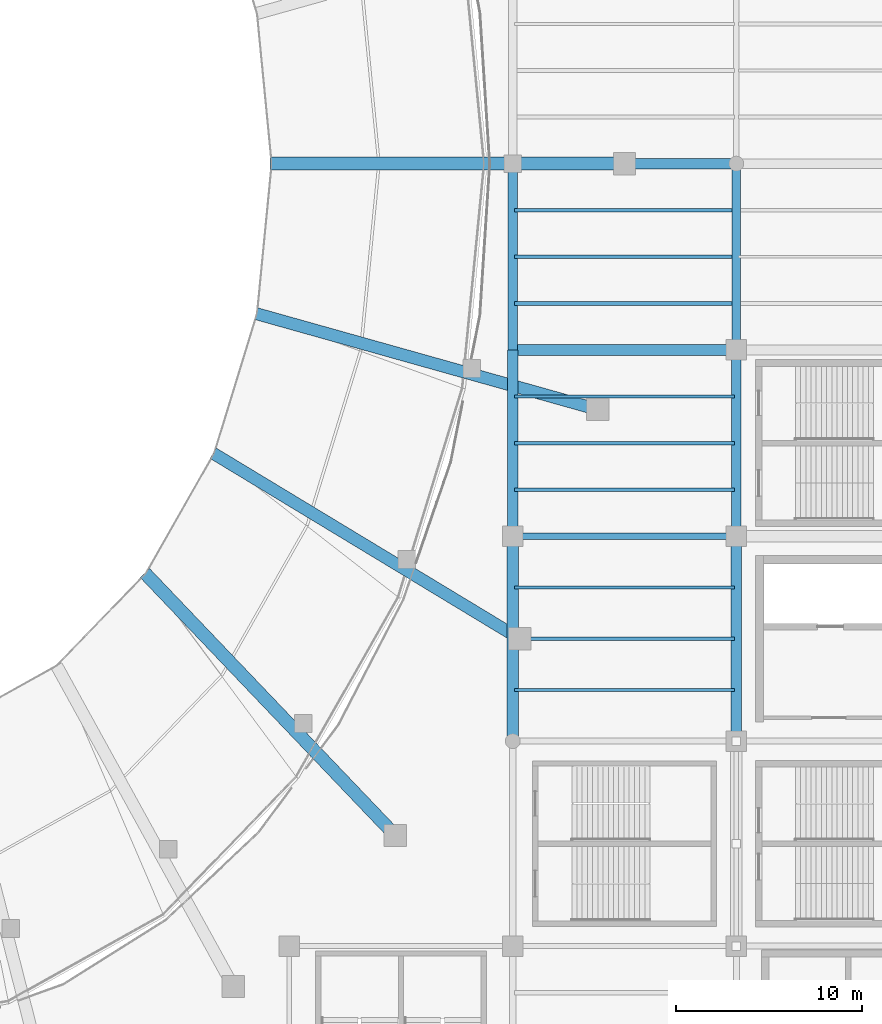
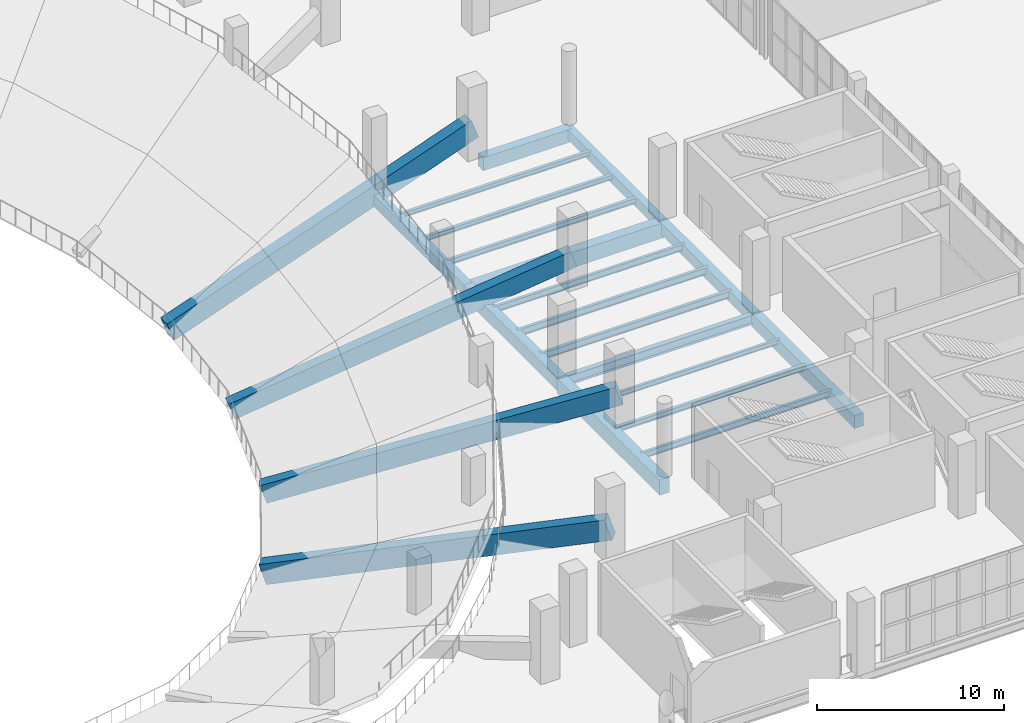
# One storey, part 65 of 136: 22 beams.
"""IFC4 building model written with IfcOpenShell, lengths in metres."""

from ifc_helpers import new_model, si_unit, direction, frame, origin, origin_2d, place, context, subcontext, project, spatial, rectangle, i_section, extrude, material, material_profile, profile_set, type_object, element, save


model = new_model("IFC4")

# Units and contexts
model_context = context("Model", 3, precision=1e-05, world=origin(), true_north=direction((0.0, 1.0)))
body_context = subcontext(model_context, "Body", "Model", "MODEL_VIEW")
ifc_project = project(units=[si_unit("LENGTHUNIT", "METRE"), si_unit("AREAUNIT", "SQUARE_METRE"), si_unit("VOLUMEUNIT", "CUBIC_METRE"), si_unit("PLANEANGLEUNIT", "RADIAN"), si_unit("MASSUNIT", "GRAM", prefix="KILO")], contexts=[model_context])

# Site, building, storey
site_placement = place(None, origin())
site = spatial("IfcSite", under=ifc_project, at=site_placement, CompositionType="ELEMENT")
building_placement = place(site_placement, origin())
building = spatial("IfcBuilding", under=site, at=building_placement, Name="Brinegate Civic Arena", CompositionType="ELEMENT")
storey_placement = place(building_placement, frame((0.0, 0.0, 5.39990234375)))
storey = spatial("IfcBuildingStorey", under=building, at=storey_placement, Name="L01", CompositionType="ELEMENT", Elevation=5.39990234375)

# Beams
ifc_material_1 = material(Name="Steel S355", Category="steel")
ifc_material_profile_1 = material_profile(ifc_material_1, i_section(OverallWidth=0.324951171875, OverallDepth=0.615966796875, WebThickness=0.013916015625, FlangeThickness=0.02197265625, FilletRadius=0.01611328125, at=origin_2d()), Name="W610X174")
ifc_profile_set_1 = profile_set([ifc_material_profile_1], Name="Steel S355")
beam_type_1 = type_object("IfcBeamType", Name="GIRDER-W610X174", PredefinedType="BEAM", material=ifc_profile_set_1)
beam_1_placement = place(storey_placement, frame((144.0, 42.0, -0.64794921875), z_axis=(1.0, 0.0, 0.0), x_axis=(0.0, 1.0, 0.0)))
element("IfcBeam", 1, at=beam_1_placement, inside=storey, type_object=beam_type_1, Name="Floor Girder BM-L01-GX-12-04", PredefinedType="BEAM", context=body_context, shape_type="SweptSolid", body=[
    extrude(i_section(OverallWidth=0.324951171875, OverallDepth=0.615966796875, WebThickness=0.013916015625, FlangeThickness=0.02197265625, FilletRadius=0.01611328125, at=origin_2d()), origin(), (0.0, 0.0, 1.0), 12.0),
])
ifc_material_profile_2 = material_profile(ifc_material_1, i_section(OverallWidth=0.1669921875, OverallDepth=0.31689453125, WebThickness=0.008056640625, FlangeThickness=0.012939453125, FilletRadius=0.012939453125, at=origin_2d()), Name="W310X52")
ifc_profile_set_2 = profile_set([ifc_material_profile_2], Name="Steel S355")
beam_type_2 = type_object("IfcBeamType", Name="JOIST-W310X52", PredefinedType="JOIST", material=ifc_profile_set_2)
beam_2_placement = place(storey_placement, frame((144.10595703125, 39.25, -0.497802734375), z_axis=(1.0, 0.0, 0.0), x_axis=(0.0, 1.0, 0.0)))
element("IfcBeam", 2, at=beam_2_placement, inside=storey, type_object=beam_type_2, Name="Secondary Joist BM-L01-JX-12-03-3", PredefinedType="JOIST", context=body_context, shape_type="SweptSolid", body=[
    extrude(i_section(OverallWidth=0.1669921875, OverallDepth=0.31689453125, WebThickness=0.008056640625, FlangeThickness=0.012939453125, FilletRadius=0.012939453125, at=origin_2d()), origin(), (0.0, 0.0, 1.0), 11.7880859375),
])
ifc_material_profile_3 = material_profile(ifc_material_1, i_section(OverallWidth=0.202880859375, OverallDepth=0.302978515625, WebThickness=0.008056640625, FlangeThickness=0.012939453125, FilletRadius=0.012939453125, at=origin_2d()), Name="W310X60")
ifc_profile_set_3 = profile_set([ifc_material_profile_3], Name="Steel S355")
beam_type_3 = type_object("IfcBeamType", Name="JOIST-W310X60", PredefinedType="JOIST", material=ifc_profile_set_3)
beam_3_placement = place(storey_placement, frame((144.10595703125, 59.5, -0.490966796875), z_axis=(1.0, 0.0, 0.0), x_axis=(0.0, 1.0, 0.0)))
element("IfcBeam", 3, at=beam_3_placement, inside=storey, type_object=beam_type_3, Name="Secondary Joist BM-L01-JX-12-05-3", PredefinedType="JOIST", context=body_context, shape_type="SweptSolid", body=[
    extrude(i_section(OverallWidth=0.202880859375, OverallDepth=0.302978515625, WebThickness=0.008056640625, FlangeThickness=0.012939453125, FilletRadius=0.012939453125, at=origin_2d()), origin(), (0.0, 0.0, 1.0), 11.7880859375),
])
ifc_material_profile_4 = material_profile(ifc_material_1, i_section(OverallWidth=0.205078125, OverallDepth=0.31005859375, WebThickness=0.009033203125, FlangeThickness=0.01611328125, FilletRadius=0.012939453125, at=origin_2d()), Name="W310X74")
ifc_profile_set_4 = profile_set([ifc_material_profile_4], Name="Steel S355")
beam_type_4 = type_object("IfcBeamType", Name="JOIST-W310X74", PredefinedType="JOIST", material=ifc_profile_set_4)
beam_4_placement = place(storey_placement, frame((144.10595703125, 57.0, -0.494873046875), z_axis=(1.0, 0.0, 0.0), x_axis=(0.0, 1.0, 0.0)))
element("IfcBeam", 4, at=beam_4_placement, inside=storey, type_object=beam_type_4, Name="Secondary Joist BM-L01-JX-12-05-2", PredefinedType="JOIST", context=body_context, shape_type="SweptSolid", body=[
    extrude(i_section(OverallWidth=0.205078125, OverallDepth=0.31005859375, WebThickness=0.009033203125, FlangeThickness=0.01611328125, FilletRadius=0.012939453125, at=origin_2d()), origin(), (0.0, 0.0, 1.0), 11.7880859375),
])
ifc_material_profile_5 = material_profile(ifc_material_1, i_section(OverallWidth=0.202880859375, OverallDepth=0.346923828125, WebThickness=0.008056640625, FlangeThickness=0.013916015625, FilletRadius=0.013916015625, at=origin_2d()), Name="W360X64")
ifc_profile_set_5 = profile_set([ifc_material_profile_5], Name="Steel S355")
beam_type_5 = type_object("IfcBeamType", Name="JOIST-W360X64", PredefinedType="JOIST", material=ifc_profile_set_5)
beam_5_placement = place(storey_placement, frame((144.10595703125, 36.5, -0.512939453125), z_axis=(1.0, 0.0, 0.0), x_axis=(0.0, 1.0, 0.0)))
element("IfcBeam", 5, at=beam_5_placement, inside=storey, type_object=beam_type_5, Name="Secondary Joist BM-L01-JX-12-03-2", PredefinedType="JOIST", context=body_context, shape_type="SweptSolid", body=[
    extrude(i_section(OverallWidth=0.202880859375, OverallDepth=0.346923828125, WebThickness=0.008056640625, FlangeThickness=0.013916015625, FilletRadius=0.013916015625, at=origin_2d()), origin(), (0.0, 0.0, 1.0), 11.7880859375),
])
ifc_material_profile_6 = material_profile(ifc_material_1, i_section(OverallWidth=0.205078125, OverallDepth=0.35400390625, WebThickness=0.009033203125, FlangeThickness=0.01708984375, FilletRadius=0.013916015625, at=origin_2d()), Name="W360X79")
ifc_profile_set_6 = profile_set([ifc_material_profile_6], Name="Steel S355")
beam_type_6 = type_object("IfcBeamType", Name="JOIST-W360X79", PredefinedType="JOIST", material=ifc_profile_set_6)
beam_6_placement = place(storey_placement, frame((144.10595703125, 54.5, -0.516845703125), z_axis=(1.0, 0.0, 0.0), x_axis=(0.0, 1.0, 0.0)))
element("IfcBeam", 6, at=beam_6_placement, inside=storey, type_object=beam_type_6, Name="Secondary Joist BM-L01-JX-12-05-1", PredefinedType="JOIST", context=body_context, shape_type="SweptSolid", body=[
    extrude(i_section(OverallWidth=0.205078125, OverallDepth=0.35400390625, WebThickness=0.009033203125, FlangeThickness=0.01708984375, FilletRadius=0.013916015625, at=origin_2d()), origin(), (0.0, 0.0, 1.0), 11.7880859375),
])
ifc_material_profile_7 = material_profile(ifc_material_1, i_section(OverallWidth=0.179931640625, OverallDepth=0.4130859375, WebThickness=0.010009765625, FlangeThickness=0.01611328125, FilletRadius=0.013916015625, at=origin_2d()), Name="W410X75")
ifc_profile_set_7 = profile_set([ifc_material_profile_7], Name="Steel S355")
beam_type_7 = type_object("IfcBeamType", Name="JOIST-W410X75", PredefinedType="JOIST", material=ifc_profile_set_7)
beam_7_placement = place(storey_placement, frame((144.10595703125, 33.75, -0.5458984375), z_axis=(1.0, 0.0, 0.0), x_axis=(0.0, 1.0, 0.0)))
element("IfcBeam", 7, at=beam_7_placement, inside=storey, type_object=beam_type_7, Name="Secondary Joist BM-L01-JX-12-03-1", PredefinedType="JOIST", context=body_context, shape_type="SweptSolid", body=[
    extrude(i_section(OverallWidth=0.179931640625, OverallDepth=0.4130859375, WebThickness=0.010009765625, FlangeThickness=0.01611328125, FilletRadius=0.013916015625, at=origin_2d()), origin(), (0.0, 0.0, 1.0), 11.7880859375),
])
ifc_material_profile_8 = material_profile(ifc_material_1, i_section(OverallWidth=0.180908203125, OverallDepth=0.4169921875, WebThickness=0.010986328125, FlangeThickness=0.01806640625, FilletRadius=0.013916015625, at=origin_2d()), Name="W410X85")
ifc_profile_set_8 = profile_set([ifc_material_profile_8], Name="Steel S355")
beam_type_8 = type_object("IfcBeamType", Name="JOIST-W410X85", PredefinedType="JOIST", material=ifc_profile_set_8)
beam_8_placement = place(storey_placement, frame((144.10595703125, 49.5, -0.5478515625), z_axis=(1.0, 0.0, 0.0), x_axis=(0.0, 1.0, 0.0)))
element("IfcBeam", 8, at=beam_8_placement, inside=storey, type_object=beam_type_8, Name="Secondary Joist BM-L01-JX-12-04-3", PredefinedType="JOIST", context=body_context, shape_type="SweptSolid", body=[
    extrude(i_section(OverallWidth=0.180908203125, OverallDepth=0.4169921875, WebThickness=0.010986328125, FlangeThickness=0.01806640625, FilletRadius=0.013916015625, at=origin_2d()), origin(), (0.0, 0.0, 1.0), 11.7880859375),
])
ifc_material_profile_9 = material_profile(ifc_material_1, i_section(OverallWidth=0.195068359375, OverallDepth=0.472900390625, WebThickness=0.011962890625, FlangeThickness=0.02197265625, FilletRadius=0.014892578125, at=origin_2d()), Name="W460X113")
ifc_profile_set_9 = profile_set([ifc_material_profile_9], Name="Steel S355")
beam_type_9 = type_object("IfcBeamType", Name="JOIST-W460X113", PredefinedType="JOIST", material=ifc_profile_set_9)
beam_9_placement = place(storey_placement, frame((144.10595703125, 44.5, -0.575927734375), z_axis=(1.0, 0.0, 0.0), x_axis=(0.0, 1.0, 0.0)))
element("IfcBeam", 9, at=beam_9_placement, inside=storey, type_object=beam_type_9, Name="Secondary Joist BM-L01-JX-12-04-1", PredefinedType="JOIST", context=body_context, shape_type="SweptSolid", body=[
    extrude(i_section(OverallWidth=0.195068359375, OverallDepth=0.472900390625, WebThickness=0.011962890625, FlangeThickness=0.02197265625, FilletRadius=0.014892578125, at=origin_2d()), origin(), (0.0, 0.0, 1.0), 11.7880859375),
])
ifc_material_profile_10 = material_profile(ifc_material_1, i_section(OverallWidth=0.19091796875, OverallDepth=0.4599609375, WebThickness=0.010009765625, FlangeThickness=0.01611328125, FilletRadius=0.014892578125, at=origin_2d()), Name="W460X82")
ifc_profile_set_10 = profile_set([ifc_material_profile_10], Name="Steel S355")
beam_type_10 = type_object("IfcBeamType", Name="JOIST-W460X82", PredefinedType="JOIST", material=ifc_profile_set_10)
beam_10_placement = place(storey_placement, frame((144.10595703125, 47.0, -0.56982421875), z_axis=(1.0, 0.0, 0.0), x_axis=(0.0, 1.0, 0.0)))
element("IfcBeam", 10, at=beam_10_placement, inside=storey, type_object=beam_type_10, Name="Secondary Joist BM-L01-JX-12-04-2", PredefinedType="JOIST", context=body_context, shape_type="SweptSolid", body=[
    extrude(i_section(OverallWidth=0.19091796875, OverallDepth=0.4599609375, WebThickness=0.010009765625, FlangeThickness=0.01611328125, FilletRadius=0.014892578125, at=origin_2d()), origin(), (0.0, 0.0, 1.0), 11.7880859375),
])
ifc_material_2 = material(Name="Concrete C50/60", Category="concrete")
ifc_material_profile_11 = material_profile(ifc_material_2, rectangle(XDim=0.64990234375, YDim=1.10009765625, at=origin_2d()), Name="RKR650X1100")
ifc_profile_set_11 = profile_set([ifc_material_profile_11], Name="Concrete C50/60")
beam_type_11 = type_object("IfcBeamType", Name="RAKER-RKR650X1100", PredefinedType="USERDEFINED", material=ifc_profile_set_11)
beam_11_placement = place(storey_placement, frame((130.408935546875, 53.89892578125, -4.89990234375), z_axis=(0.907237931678, -0.254727686103, 0.334713521174), x_axis=(0.270319746837, 0.962770603244, 0.0)))
element("IfcBeam", 11, at=beam_11_placement, inside=storey, type_object=beam_type_11, Name="Lower Bowl Raker Girder RKR-LWR-24", ObjectType="RAKER GIRDER", PredefinedType="USERDEFINED", context=body_context, shape_type="SweptSolid", body=[
    extrude(rectangle(XDim=0.64990234375, YDim=1.10009765625, at=origin_2d()), origin(), (0.0, 0.0, 1.0), 20.01708984375),
])
ifc_material_profile_12 = material_profile(ifc_material_2, rectangle(XDim=0.64990234375, YDim=1.199951171875, at=origin_2d()), Name="RKR650X1200")
ifc_profile_set_12 = profile_set([ifc_material_profile_12], Name="Concrete C50/60")
beam_type_12 = type_object("IfcBeamType", Name="RAKER-RKR650X1200", PredefinedType="USERDEFINED", material=ifc_profile_set_12)
beam_12_placement = place(storey_placement, frame((128.092041015625, 46.35009765625, -4.89990234375), z_axis=(0.807034448443, -0.488260258474, 0.332110401857), x_axis=(0.517641309359, 0.85559772957, 0.0)))
element("IfcBeam", 12, at=beam_12_placement, inside=storey, type_object=beam_type_12, Name="Lower Bowl Raker Girder RKR-LWR-23", ObjectType="RAKER GIRDER", PredefinedType="USERDEFINED", context=body_context, shape_type="SweptSolid", body=[
    extrude(rectangle(XDim=0.64990234375, YDim=1.199951171875, at=origin_2d()), origin(), (0.0, 0.0, 1.0), 20.173828125),
])
ifc_material_profile_13 = material_profile(ifc_material_2, rectangle(XDim=0.699951171875, YDim=1.300048828125, at=origin_2d()), Name="RKR700X1300")
ifc_profile_set_13 = profile_set([ifc_material_profile_13], Name="Concrete C50/60")
beam_type_13 = type_object("IfcBeamType", Name="RAKER-RKR700X1300", PredefinedType="USERDEFINED", material=ifc_profile_set_13)
beam_13_placement = place(storey_placement, frame((131.199951171875, 62.0, -4.89990234375), z_axis=(0.941969465095, 0.0, 0.335698565426), x_axis=(0.0, 1.0, 0.0)))
element("IfcBeam", 13, at=beam_13_placement, inside=storey, type_object=beam_type_13, Name="Lower Bowl Raker Girder RKR-LWR-01", ObjectType="RAKER GIRDER", PredefinedType="USERDEFINED", context=body_context, shape_type="SweptSolid", body=[
    extrude(rectangle(XDim=0.699951171875, YDim=1.300048828125, at=origin_2d()), origin(), (0.0, 0.0, 1.0), 19.958251953125),
])
beam_14_placement = place(storey_placement, frame((124.405029296875, 39.867919921875, -4.89990234375), z_axis=(0.652027240531, -0.683270611648, 0.328636195304), x_axis=(0.723453696653, 0.690372905609, 0.0)))
element("IfcBeam", 14, at=beam_14_placement, inside=storey, type_object=beam_type_13, Name="Lower Bowl Raker Girder RKR-LWR-22", ObjectType="RAKER GIRDER", PredefinedType="USERDEFINED", context=body_context, shape_type="SweptSolid", body=[
    extrude(rectangle(XDim=0.699951171875, YDim=1.300048828125, at=origin_2d()), origin(), (0.0, 0.0, 1.0), 20.38720703125),
])
ifc_material_profile_14 = material_profile(ifc_material_2, rectangle(XDim=0.449951171875, YDim=0.64990234375, at=origin_2d()), Name="RCB450X650")
ifc_profile_set_14 = profile_set([ifc_material_profile_14], Name="Concrete C50/60")
beam_type_14 = type_object("IfcBeamType", Name="RCG-450X650", PredefinedType="BEAM", material=ifc_profile_set_14)
beam_15_placement = place(storey_placement, frame((156.0, 52.0, -0.664794921875), z_axis=(0.0, 1.0, 0.0), x_axis=(-1.0, 0.0, 0.0)))
element("IfcBeam", 15, at=beam_15_placement, inside=storey, type_object=beam_type_14, Name="Floor Girder BM-L01-GY-13-05", PredefinedType="BEAM", context=body_context, shape_type="SweptSolid", body=[
    extrude(rectangle(XDim=0.449951171875, YDim=0.64990234375, at=origin_2d()), origin(), (0.0, 0.0, 1.0), 10.0),
])
ifc_material_profile_15 = material_profile(ifc_material_2, rectangle(XDim=0.5, YDim=0.75, at=origin_2d()), Name="RCB500X750")
ifc_profile_set_15 = profile_set([ifc_material_profile_15], Name="Concrete C50/60")
beam_type_15 = type_object("IfcBeamType", Name="RCG-500X750", PredefinedType="BEAM", material=ifc_profile_set_15)
for number, where, z_axis, x_axis, name in (
    (16, (144.0, 52.0, -0.71484375), (0.0, 1.0, 0.0), (-1.0, 0.0, 0.0), "Floor Girder BM-L01-GY-12-05"),
    (17, (156.0, 42.0, -0.71484375), (0.0, 1.0, 0.0), (-1.0, 0.0, 0.0), "Floor Girder BM-L01-GY-13-04"),
):
    element("IfcBeam", number, at=place(storey_placement, frame(where, z_axis=z_axis, x_axis=x_axis)), inside=storey, type_object=beam_type_15, Name=name, PredefinedType="BEAM", context=body_context, shape_type="SweptSolid", body=[
        extrude(rectangle(XDim=0.5, YDim=0.75, at=origin_2d()), origin(), (0.0, 0.0, 1.0), 10.0),
    ])
ifc_material_profile_16 = material_profile(ifc_material_2, rectangle(XDim=0.550048828125, YDim=0.85009765625, at=origin_2d()), Name="RCB550X850")
ifc_profile_set_16 = profile_set([ifc_material_profile_16], Name="Concrete C50/60")
beam_type_16 = type_object("IfcBeamType", Name="RCG-550X850", PredefinedType="BEAM", material=ifc_profile_set_16)
beam_16_placement = place(storey_placement, frame((150.550048828125, 62.0, -0.764892578125), z_axis=(1.0, 0.0, 0.0), x_axis=(0.0, 1.0, 0.0)))
element("IfcBeam", 18, at=beam_16_placement, inside=storey, type_object=beam_type_16, Name="Floor Girder BM-L01-GX-12-06", PredefinedType="BEAM", context=body_context, shape_type="SweptSolid", body=[
    extrude(rectangle(XDim=0.550048828125, YDim=0.85009765625, at=origin_2d()), origin(), (0.0, 0.0, 1.0), 5.449951171875),
])
beam_17_placement = place(storey_placement, frame((144.0, 42.0, -0.764892578125), z_axis=(0.0, 1.0, 0.0), x_axis=(-1.0, 0.0, 0.0)))
element("IfcBeam", 19, at=beam_17_placement, inside=storey, type_object=beam_type_16, Name="Floor Girder BM-L01-GY-12-04", PredefinedType="BEAM", context=body_context, shape_type="SweptSolid", body=[
    extrude(rectangle(XDim=0.550048828125, YDim=0.85009765625, at=origin_2d()), origin(), (0.0, 0.0, 1.0), 10.0),
])
beam_18_placement = place(storey_placement, frame((156.0, 31.0, -0.764892578125), z_axis=(0.0, 1.0, 0.0), x_axis=(-1.0, 0.0, 0.0)))
element("IfcBeam", 20, at=beam_18_placement, inside=storey, type_object=beam_type_16, Name="Floor Girder BM-L01-GY-13-03", PredefinedType="BEAM", context=body_context, shape_type="SweptSolid", body=[
    extrude(rectangle(XDim=0.550048828125, YDim=0.85009765625, at=origin_2d()), origin(), (0.0, 0.0, 1.0), 11.0),
])
ifc_material_profile_17 = material_profile(ifc_material_2, rectangle(XDim=0.60009765625, YDim=1.0, at=origin_2d()), Name="RCB600X1000")
ifc_profile_set_17 = profile_set([ifc_material_profile_17], Name="Concrete C50/60")
beam_type_17 = type_object("IfcBeamType", Name="RCG-600X1000", PredefinedType="BEAM", material=ifc_profile_set_17)
beam_19_placement = place(storey_placement, frame((144.0, 52.0, -0.83984375), z_axis=(1.0, 0.0, 0.0), x_axis=(0.0, 1.0, 0.0)))
element("IfcBeam", 21, at=beam_19_placement, inside=storey, type_object=beam_type_17, Name="Floor Girder BM-L01-GX-12-05", PredefinedType="BEAM", context=body_context, shape_type="SweptSolid", body=[
    extrude(rectangle(XDim=0.60009765625, YDim=1.0, at=origin_2d()), origin(), (0.0, 0.0, 1.0), 12.0),
])
beam_20_placement = place(storey_placement, frame((144.0, 31.0, -0.83984375), z_axis=(0.0, 1.0, 0.0), x_axis=(-1.0, 0.0, 0.0)))
element("IfcBeam", 22, at=beam_20_placement, inside=storey, type_object=beam_type_17, Name="Floor Girder BM-L01-GY-12-03", PredefinedType="BEAM", context=body_context, shape_type="SweptSolid", body=[
    extrude(rectangle(XDim=0.60009765625, YDim=1.0, at=origin_2d()), origin(), (0.0, 0.0, 1.0), 11.0),
])

save(model, "model.ifc")
